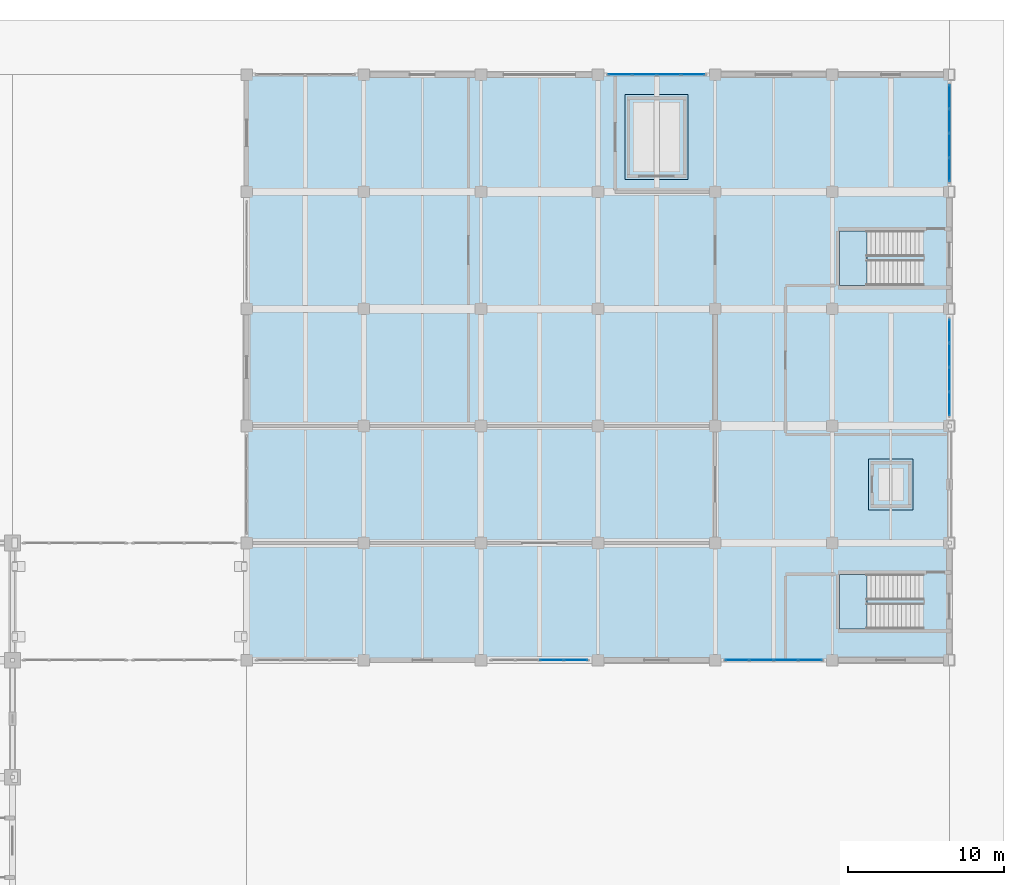
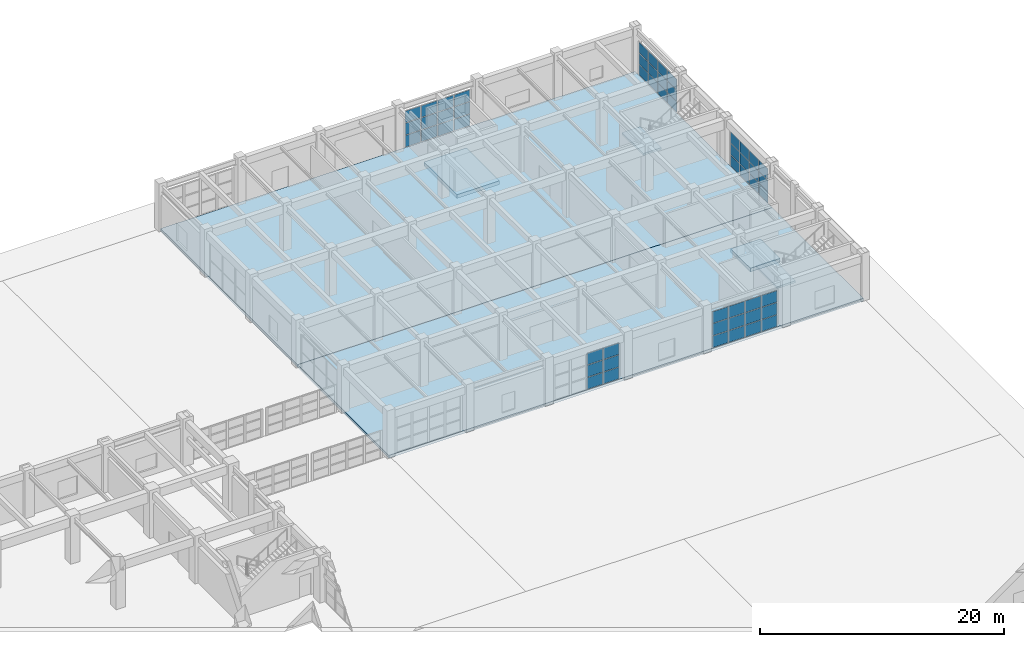
# One storey, part 80 of 122: 54 plates, 6 slabs, 7 elements without a shape of their own.
"""IFC4 building model written with IfcOpenShell, lengths in metres."""

from ifc_helpers import new_model, si_unit, direction, frame, origin, origin_2d, place, context, subcontext, project, spatial, polyline, rectangle, outline, extrude, material, layer, layer_set, type_object, element, aggregate, save


model = new_model("IFC4")

# Units and contexts
model_context = context("Model", 3, precision=1e-05, world=origin(), true_north=direction((0.0, 1.0)))
body_context = subcontext(model_context, "Body", "Model", "MODEL_VIEW")
ifc_project = project(units=[si_unit("LENGTHUNIT", "METRE"), si_unit("AREAUNIT", "SQUARE_METRE"), si_unit("VOLUMEUNIT", "CUBIC_METRE"), si_unit("PLANEANGLEUNIT", "RADIAN"), si_unit("MASSUNIT", "GRAM", prefix="KILO")], contexts=[model_context])

# Site, building, storey
site_placement = place(None, origin())
site = spatial("IfcSite", under=ifc_project, at=site_placement, CompositionType="ELEMENT")
building_placement = place(site_placement, origin())
building = spatial("IfcBuilding", under=site, at=building_placement, Name="Qasida Concert Hall", CompositionType="ELEMENT")
storey_placement = place(building_placement, origin())
storey = spatial("IfcBuildingStorey", under=building, at=storey_placement, Name="L00", CompositionType="ELEMENT", Elevation=0.0)

# Curtain wall, plates
ifc_material_1 = material(Name="Architectural bronze-anodized aluminium and low-E glass", Category="aluminium")
curtain_wall_type_1 = type_object("IfcCurtainWallType", Name="CW-03", PredefinedType="NOTDEFINED", material=ifc_material_1)
curtain_wall_1_placement = place(storey_placement, origin())
curtain_wall_1 = element("IfcCurtainWall", 1, at=curtain_wall_1_placement, inside=storey, type_object=curtain_wall_type_1, Name="L00 curtain wall CW-03 0153", PredefinedType="NOTDEFINED")
ifc_material_2 = material(Name="Solar-control low-E double glazing", Category="glass")
ifc_layer_1 = layer(ifc_material_2, 0.031982421875, Name="Solar-control low-E double glazing")
ifc_layer_set_1 = layer_set([ifc_layer_1], Name="Solar-control low-E double glazing")
plate_type = type_object("IfcPlateType", Name="PLT-CWP-2", PredefinedType="CURTAIN_PANEL", material=ifc_layer_set_1)
plate_1_placement = place(storey_placement, frame((139.532470703125, 75.0, 0.06005859375), z_axis=(0.0, 0.0, 1.0), x_axis=(1.0, 0.0, 0.0)))
plate_1 = element("IfcPlate", 2, at=plate_1_placement, type_object=plate_type, Name="CW-03 panel 3.1", PredefinedType="CURTAIN_PANEL", context=body_context, shape_type="SweptSolid", body=[
    extrude(rectangle(XDim=1.5, YDim=0.031982421875, at=origin_2d()), origin(), (0.0, 0.0, 1.0), 1.14990234375),
])
plate_2_placement = place(storey_placement, frame((139.532470703125, 75.0, 1.27001953125), z_axis=(0.0, 0.0, 1.0), x_axis=(1.0, 0.0, 0.0)))
plate_2 = element("IfcPlate", 3, at=plate_2_placement, type_object=plate_type, Name="CW-03 panel 3.2", PredefinedType="CURTAIN_PANEL", context=body_context, shape_type="SweptSolid", body=[
    extrude(rectangle(XDim=1.5, YDim=0.031982421875, at=origin_2d()), origin(), (0.0, 0.0, 1.0), 1.179931640625),
])
plate_3_placement = place(storey_placement, frame((139.532470703125, 75.0, 2.510009765625), z_axis=(0.0, 0.0, 1.0), x_axis=(1.0, 0.0, 0.0)))
plate_3 = element("IfcPlate", 4, at=plate_3_placement, type_object=plate_type, Name="CW-03 panel 3.3", PredefinedType="CURTAIN_PANEL", context=body_context, shape_type="SweptSolid", body=[
    extrude(rectangle(XDim=1.5, YDim=0.031982421875, at=origin_2d()), origin(), (0.0, 0.0, 1.0), 1.14990234375),
])
plate_4_placement = place(storey_placement, frame((141.081298828125, 75.0, 0.06005859375), z_axis=(0.0, 0.0, 1.0), x_axis=(1.0, 0.0, 0.0)))
plate_4 = element("IfcPlate", 5, at=plate_4_placement, type_object=plate_type, Name="CW-03 panel 4.1", PredefinedType="CURTAIN_PANEL", context=body_context, shape_type="SweptSolid", body=[
    extrude(rectangle(XDim=1.467529296875, YDim=0.031982421875, at=origin_2d()), origin(), (0.0, 0.0, 1.0), 1.14990234375),
])
plate_5_placement = place(storey_placement, frame((141.081298828125, 75.0, 1.27001953125), z_axis=(0.0, 0.0, 1.0), x_axis=(1.0, 0.0, 0.0)))
plate_5 = element("IfcPlate", 6, at=plate_5_placement, type_object=plate_type, Name="CW-03 panel 4.2", PredefinedType="CURTAIN_PANEL", context=body_context, shape_type="SweptSolid", body=[
    extrude(rectangle(XDim=1.467529296875, YDim=0.031982421875, at=origin_2d()), origin(), (0.0, 0.0, 1.0), 1.179931640625),
])
plate_6_placement = place(storey_placement, frame((141.081298828125, 75.0, 2.510009765625), z_axis=(0.0, 0.0, 1.0), x_axis=(1.0, 0.0, 0.0)))
plate_6 = element("IfcPlate", 7, at=plate_6_placement, type_object=plate_type, Name="CW-03 panel 4.3", PredefinedType="CURTAIN_PANEL", context=body_context, shape_type="SweptSolid", body=[
    extrude(rectangle(XDim=1.467529296875, YDim=0.031982421875, at=origin_2d()), origin(), (0.0, 0.0, 1.0), 1.14990234375),
])
aggregate(curtain_wall_1, [plate_1, plate_2, plate_3, plate_4, plate_5, plate_6])

curtain_wall_type_2 = type_object("IfcCurtainWallType", Name="CW-04", PredefinedType="NOTDEFINED", material=ifc_material_1)
curtain_wall_2_placement = place(storey_placement, origin())
curtain_wall_2 = element("IfcCurtainWall", 8, at=curtain_wall_2_placement, inside=storey, type_object=curtain_wall_type_2, Name="L00 curtain wall CW-04 0154", PredefinedType="NOTDEFINED")
plate_7_placement = place(storey_placement, frame((143.918701171875, 112.5, 0.06005859375), z_axis=(0.0, 0.0, 1.0), x_axis=(1.0, 0.0, 0.0)))
plate_7 = element("IfcPlate", 9, at=plate_7_placement, type_object=plate_type, Name="CW-04 panel 1.1", PredefinedType="CURTAIN_PANEL", context=body_context, shape_type="SweptSolid", body=[
    extrude(rectangle(XDim=1.467529296875, YDim=0.031982421875, at=origin_2d()), origin(), (0.0, 0.0, 1.0), 1.14990234375),
])
plate_8_placement = place(storey_placement, frame((143.918701171875, 112.5, 1.27001953125), z_axis=(0.0, 0.0, 1.0), x_axis=(1.0, 0.0, 0.0)))
plate_8 = element("IfcPlate", 10, at=plate_8_placement, type_object=plate_type, Name="CW-04 panel 1.2", PredefinedType="CURTAIN_PANEL", context=body_context, shape_type="SweptSolid", body=[
    extrude(rectangle(XDim=1.467529296875, YDim=0.031982421875, at=origin_2d()), origin(), (0.0, 0.0, 1.0), 1.179931640625),
])
plate_9_placement = place(storey_placement, frame((143.918701171875, 112.5, 2.510009765625), z_axis=(0.0, 0.0, 1.0), x_axis=(1.0, 0.0, 0.0)))
plate_9 = element("IfcPlate", 11, at=plate_9_placement, type_object=plate_type, Name="CW-04 panel 1.3", PredefinedType="CURTAIN_PANEL", context=body_context, shape_type="SweptSolid", body=[
    extrude(rectangle(XDim=1.467529296875, YDim=0.031982421875, at=origin_2d()), origin(), (0.0, 0.0, 1.0), 1.14990234375),
])
plate_10_placement = place(storey_placement, frame((145.467529296875, 112.5, 0.06005859375), z_axis=(0.0, 0.0, 1.0), x_axis=(1.0, 0.0, 0.0)))
plate_10 = element("IfcPlate", 12, at=plate_10_placement, type_object=plate_type, Name="CW-04 panel 2.1", PredefinedType="CURTAIN_PANEL", context=body_context, shape_type="SweptSolid", body=[
    extrude(rectangle(XDim=1.5, YDim=0.031982421875, at=origin_2d()), origin(), (0.0, 0.0, 1.0), 1.14990234375),
])
plate_11_placement = place(storey_placement, frame((145.467529296875, 112.5, 1.27001953125), z_axis=(0.0, 0.0, 1.0), x_axis=(1.0, 0.0, 0.0)))
plate_11 = element("IfcPlate", 13, at=plate_11_placement, type_object=plate_type, Name="CW-04 panel 2.2", PredefinedType="CURTAIN_PANEL", context=body_context, shape_type="SweptSolid", body=[
    extrude(rectangle(XDim=1.5, YDim=0.031982421875, at=origin_2d()), origin(), (0.0, 0.0, 1.0), 1.179931640625),
])
plate_12_placement = place(storey_placement, frame((145.467529296875, 112.5, 2.510009765625), z_axis=(0.0, 0.0, 1.0), x_axis=(1.0, 0.0, 0.0)))
plate_12 = element("IfcPlate", 14, at=plate_12_placement, type_object=plate_type, Name="CW-04 panel 2.3", PredefinedType="CURTAIN_PANEL", context=body_context, shape_type="SweptSolid", body=[
    extrude(rectangle(XDim=1.5, YDim=0.031982421875, at=origin_2d()), origin(), (0.0, 0.0, 1.0), 1.14990234375),
])
plate_13_placement = place(storey_placement, frame((147.032470703125, 112.5, 0.06005859375), z_axis=(0.0, 0.0, 1.0), x_axis=(1.0, 0.0, 0.0)))
plate_13 = element("IfcPlate", 15, at=plate_13_placement, type_object=plate_type, Name="CW-04 panel 3.1", PredefinedType="CURTAIN_PANEL", context=body_context, shape_type="SweptSolid", body=[
    extrude(rectangle(XDim=1.5, YDim=0.031982421875, at=origin_2d()), origin(), (0.0, 0.0, 1.0), 1.14990234375),
])
plate_14_placement = place(storey_placement, frame((147.032470703125, 112.5, 1.27001953125), z_axis=(0.0, 0.0, 1.0), x_axis=(1.0, 0.0, 0.0)))
plate_14 = element("IfcPlate", 16, at=plate_14_placement, type_object=plate_type, Name="CW-04 panel 3.2", PredefinedType="CURTAIN_PANEL", context=body_context, shape_type="SweptSolid", body=[
    extrude(rectangle(XDim=1.5, YDim=0.031982421875, at=origin_2d()), origin(), (0.0, 0.0, 1.0), 1.179931640625),
])
plate_15_placement = place(storey_placement, frame((147.032470703125, 112.5, 2.510009765625), z_axis=(0.0, 0.0, 1.0), x_axis=(1.0, 0.0, 0.0)))
plate_15 = element("IfcPlate", 17, at=plate_15_placement, type_object=plate_type, Name="CW-04 panel 3.3", PredefinedType="CURTAIN_PANEL", context=body_context, shape_type="SweptSolid", body=[
    extrude(rectangle(XDim=1.5, YDim=0.031982421875, at=origin_2d()), origin(), (0.0, 0.0, 1.0), 1.14990234375),
])
plate_16_placement = place(storey_placement, frame((148.581298828125, 112.5, 0.06005859375), z_axis=(0.0, 0.0, 1.0), x_axis=(1.0, 0.0, 0.0)))
plate_16 = element("IfcPlate", 18, at=plate_16_placement, type_object=plate_type, Name="CW-04 panel 4.1", PredefinedType="CURTAIN_PANEL", context=body_context, shape_type="SweptSolid", body=[
    extrude(rectangle(XDim=1.467529296875, YDim=0.031982421875, at=origin_2d()), origin(), (0.0, 0.0, 1.0), 1.14990234375),
])
plate_17_placement = place(storey_placement, frame((148.581298828125, 112.5, 1.27001953125), z_axis=(0.0, 0.0, 1.0), x_axis=(1.0, 0.0, 0.0)))
plate_17 = element("IfcPlate", 19, at=plate_17_placement, type_object=plate_type, Name="CW-04 panel 4.2", PredefinedType="CURTAIN_PANEL", context=body_context, shape_type="SweptSolid", body=[
    extrude(rectangle(XDim=1.467529296875, YDim=0.031982421875, at=origin_2d()), origin(), (0.0, 0.0, 1.0), 1.179931640625),
])
plate_18_placement = place(storey_placement, frame((148.581298828125, 112.5, 2.510009765625), z_axis=(0.0, 0.0, 1.0), x_axis=(1.0, 0.0, 0.0)))
plate_18 = element("IfcPlate", 20, at=plate_18_placement, type_object=plate_type, Name="CW-04 panel 4.3", PredefinedType="CURTAIN_PANEL", context=body_context, shape_type="SweptSolid", body=[
    extrude(rectangle(XDim=1.467529296875, YDim=0.031982421875, at=origin_2d()), origin(), (0.0, 0.0, 1.0), 1.14990234375),
])
aggregate(curtain_wall_2, [plate_7, plate_8, plate_9, plate_10, plate_11, plate_12, plate_13, plate_14, plate_15, plate_16, plate_17, plate_18])

curtain_wall_3_placement = place(storey_placement, origin())
curtain_wall_3 = element("IfcCurtainWall", 21, at=curtain_wall_3_placement, inside=storey, type_object=curtain_wall_type_1, Name="L00 curtain wall CW-03 0155", PredefinedType="NOTDEFINED")
plate_19_placement = place(storey_placement, frame((151.418701171875, 75.0, 0.06005859375), z_axis=(0.0, 0.0, 1.0), x_axis=(1.0, 0.0, 0.0)))
plate_19 = element("IfcPlate", 22, at=plate_19_placement, type_object=plate_type, Name="CW-03 panel 1.1", PredefinedType="CURTAIN_PANEL", context=body_context, shape_type="SweptSolid", body=[
    extrude(rectangle(XDim=1.467529296875, YDim=0.031982421875, at=origin_2d()), origin(), (0.0, 0.0, 1.0), 1.14990234375),
])
plate_20_placement = place(storey_placement, frame((151.418701171875, 75.0, 1.27001953125), z_axis=(0.0, 0.0, 1.0), x_axis=(1.0, 0.0, 0.0)))
plate_20 = element("IfcPlate", 23, at=plate_20_placement, type_object=plate_type, Name="CW-03 panel 1.2", PredefinedType="CURTAIN_PANEL", context=body_context, shape_type="SweptSolid", body=[
    extrude(rectangle(XDim=1.467529296875, YDim=0.031982421875, at=origin_2d()), origin(), (0.0, 0.0, 1.0), 1.179931640625),
])
plate_21_placement = place(storey_placement, frame((151.418701171875, 75.0, 2.510009765625), z_axis=(0.0, 0.0, 1.0), x_axis=(1.0, 0.0, 0.0)))
plate_21 = element("IfcPlate", 24, at=plate_21_placement, type_object=plate_type, Name="CW-03 panel 1.3", PredefinedType="CURTAIN_PANEL", context=body_context, shape_type="SweptSolid", body=[
    extrude(rectangle(XDim=1.467529296875, YDim=0.031982421875, at=origin_2d()), origin(), (0.0, 0.0, 1.0), 1.14990234375),
])
plate_22_placement = place(storey_placement, frame((152.967529296875, 75.0, 0.06005859375), z_axis=(0.0, 0.0, 1.0), x_axis=(1.0, 0.0, 0.0)))
plate_22 = element("IfcPlate", 25, at=plate_22_placement, type_object=plate_type, Name="CW-03 panel 2.1", PredefinedType="CURTAIN_PANEL", context=body_context, shape_type="SweptSolid", body=[
    extrude(rectangle(XDim=1.5, YDim=0.031982421875, at=origin_2d()), origin(), (0.0, 0.0, 1.0), 1.14990234375),
])
plate_23_placement = place(storey_placement, frame((152.967529296875, 75.0, 1.27001953125), z_axis=(0.0, 0.0, 1.0), x_axis=(1.0, 0.0, 0.0)))
plate_23 = element("IfcPlate", 26, at=plate_23_placement, type_object=plate_type, Name="CW-03 panel 2.2", PredefinedType="CURTAIN_PANEL", context=body_context, shape_type="SweptSolid", body=[
    extrude(rectangle(XDim=1.5, YDim=0.031982421875, at=origin_2d()), origin(), (0.0, 0.0, 1.0), 1.179931640625),
])
plate_24_placement = place(storey_placement, frame((152.967529296875, 75.0, 2.510009765625), z_axis=(0.0, 0.0, 1.0), x_axis=(1.0, 0.0, 0.0)))
plate_24 = element("IfcPlate", 27, at=plate_24_placement, type_object=plate_type, Name="CW-03 panel 2.3", PredefinedType="CURTAIN_PANEL", context=body_context, shape_type="SweptSolid", body=[
    extrude(rectangle(XDim=1.5, YDim=0.031982421875, at=origin_2d()), origin(), (0.0, 0.0, 1.0), 1.14990234375),
])
plate_25_placement = place(storey_placement, frame((154.532470703125, 75.0, 0.06005859375), z_axis=(0.0, 0.0, 1.0), x_axis=(1.0, 0.0, 0.0)))
plate_25 = element("IfcPlate", 28, at=plate_25_placement, type_object=plate_type, Name="CW-03 panel 3.1", PredefinedType="CURTAIN_PANEL", context=body_context, shape_type="SweptSolid", body=[
    extrude(rectangle(XDim=1.5, YDim=0.031982421875, at=origin_2d()), origin(), (0.0, 0.0, 1.0), 1.14990234375),
])
plate_26_placement = place(storey_placement, frame((154.532470703125, 75.0, 1.27001953125), z_axis=(0.0, 0.0, 1.0), x_axis=(1.0, 0.0, 0.0)))
plate_26 = element("IfcPlate", 29, at=plate_26_placement, type_object=plate_type, Name="CW-03 panel 3.2", PredefinedType="CURTAIN_PANEL", context=body_context, shape_type="SweptSolid", body=[
    extrude(rectangle(XDim=1.5, YDim=0.031982421875, at=origin_2d()), origin(), (0.0, 0.0, 1.0), 1.179931640625),
])
plate_27_placement = place(storey_placement, frame((154.532470703125, 75.0, 2.510009765625), z_axis=(0.0, 0.0, 1.0), x_axis=(1.0, 0.0, 0.0)))
plate_27 = element("IfcPlate", 30, at=plate_27_placement, type_object=plate_type, Name="CW-03 panel 3.3", PredefinedType="CURTAIN_PANEL", context=body_context, shape_type="SweptSolid", body=[
    extrude(rectangle(XDim=1.5, YDim=0.031982421875, at=origin_2d()), origin(), (0.0, 0.0, 1.0), 1.14990234375),
])
plate_28_placement = place(storey_placement, frame((156.081298828125, 75.0, 0.06005859375), z_axis=(0.0, 0.0, 1.0), x_axis=(1.0, 0.0, 0.0)))
plate_28 = element("IfcPlate", 31, at=plate_28_placement, type_object=plate_type, Name="CW-03 panel 4.1", PredefinedType="CURTAIN_PANEL", context=body_context, shape_type="SweptSolid", body=[
    extrude(rectangle(XDim=1.467529296875, YDim=0.031982421875, at=origin_2d()), origin(), (0.0, 0.0, 1.0), 1.14990234375),
])
plate_29_placement = place(storey_placement, frame((156.081298828125, 75.0, 1.27001953125), z_axis=(0.0, 0.0, 1.0), x_axis=(1.0, 0.0, 0.0)))
plate_29 = element("IfcPlate", 32, at=plate_29_placement, type_object=plate_type, Name="CW-03 panel 4.2", PredefinedType="CURTAIN_PANEL", context=body_context, shape_type="SweptSolid", body=[
    extrude(rectangle(XDim=1.467529296875, YDim=0.031982421875, at=origin_2d()), origin(), (0.0, 0.0, 1.0), 1.179931640625),
])
plate_30_placement = place(storey_placement, frame((156.081298828125, 75.0, 2.510009765625), z_axis=(0.0, 0.0, 1.0), x_axis=(1.0, 0.0, 0.0)))
plate_30 = element("IfcPlate", 33, at=plate_30_placement, type_object=plate_type, Name="CW-03 panel 4.3", PredefinedType="CURTAIN_PANEL", context=body_context, shape_type="SweptSolid", body=[
    extrude(rectangle(XDim=1.467529296875, YDim=0.031982421875, at=origin_2d()), origin(), (0.0, 0.0, 1.0), 1.14990234375),
])
aggregate(curtain_wall_3, [plate_19, plate_20, plate_21, plate_22, plate_23, plate_24, plate_25, plate_26, plate_27, plate_28, plate_29, plate_30])

curtain_wall_type_3 = type_object("IfcCurtainWallType", Name="CW-11", PredefinedType="NOTDEFINED", material=ifc_material_1)
curtain_wall_4_placement = place(storey_placement, origin())
curtain_wall_4 = element("IfcCurtainWall", 34, at=curtain_wall_4_placement, inside=storey, type_object=curtain_wall_type_3, Name="L00 curtain wall CW-11 0157", PredefinedType="NOTDEFINED")
plate_31_placement = place(storey_placement, frame((165.0, 91.418701171875, 0.06005859375), z_axis=(0.0, 0.0, 1.0), x_axis=(0.0, 1.0, 0.0)))
plate_31 = element("IfcPlate", 35, at=plate_31_placement, type_object=plate_type, Name="CW-11 panel 1.1", PredefinedType="CURTAIN_PANEL", context=body_context, shape_type="SweptSolid", body=[
    extrude(rectangle(XDim=1.467529296875, YDim=0.031982421875, at=origin_2d()), origin(), (0.0, 0.0, 1.0), 1.083251953125),
])
plate_32_placement = place(storey_placement, frame((165.0, 91.418701171875, 1.203369140625), z_axis=(0.0, 0.0, 1.0), x_axis=(0.0, 1.0, 0.0)))
plate_32 = element("IfcPlate", 36, at=plate_32_placement, type_object=plate_type, Name="CW-11 panel 1.2", PredefinedType="CURTAIN_PANEL", context=body_context, shape_type="SweptSolid", body=[
    extrude(rectangle(XDim=1.467529296875, YDim=0.031982421875, at=origin_2d()), origin(), (0.0, 0.0, 1.0), 1.11328125),
])
plate_33_placement = place(storey_placement, frame((165.0, 91.418701171875, 2.376953125), z_axis=(0.0, 0.0, 1.0), x_axis=(0.0, 1.0, 0.0)))
plate_33 = element("IfcPlate", 37, at=plate_33_placement, type_object=plate_type, Name="CW-11 panel 1.3", PredefinedType="CURTAIN_PANEL", context=body_context, shape_type="SweptSolid", body=[
    extrude(rectangle(XDim=1.467529296875, YDim=0.031982421875, at=origin_2d()), origin(), (0.0, 0.0, 1.0), 1.083251953125),
])
plate_34_placement = place(storey_placement, frame((165.0, 92.967529296875, 0.06005859375), z_axis=(0.0, 0.0, 1.0), x_axis=(0.0, 1.0, 0.0)))
plate_34 = element("IfcPlate", 38, at=plate_34_placement, type_object=plate_type, Name="CW-11 panel 2.1", PredefinedType="CURTAIN_PANEL", context=body_context, shape_type="SweptSolid", body=[
    extrude(rectangle(XDim=1.5, YDim=0.031982421875, at=origin_2d()), origin(), (0.0, 0.0, 1.0), 1.083251953125),
])
plate_35_placement = place(storey_placement, frame((165.0, 92.967529296875, 1.203369140625), z_axis=(0.0, 0.0, 1.0), x_axis=(0.0, 1.0, 0.0)))
plate_35 = element("IfcPlate", 39, at=plate_35_placement, type_object=plate_type, Name="CW-11 panel 2.2", PredefinedType="CURTAIN_PANEL", context=body_context, shape_type="SweptSolid", body=[
    extrude(rectangle(XDim=1.5, YDim=0.031982421875, at=origin_2d()), origin(), (0.0, 0.0, 1.0), 1.11328125),
])
plate_36_placement = place(storey_placement, frame((165.0, 92.967529296875, 2.376953125), z_axis=(0.0, 0.0, 1.0), x_axis=(0.0, 1.0, 0.0)))
plate_36 = element("IfcPlate", 40, at=plate_36_placement, type_object=plate_type, Name="CW-11 panel 2.3", PredefinedType="CURTAIN_PANEL", context=body_context, shape_type="SweptSolid", body=[
    extrude(rectangle(XDim=1.5, YDim=0.031982421875, at=origin_2d()), origin(), (0.0, 0.0, 1.0), 1.083251953125),
])
plate_37_placement = place(storey_placement, frame((165.0, 94.532470703125, 0.06005859375), z_axis=(0.0, 0.0, 1.0), x_axis=(0.0, 1.0, 0.0)))
plate_37 = element("IfcPlate", 41, at=plate_37_placement, type_object=plate_type, Name="CW-11 panel 3.1", PredefinedType="CURTAIN_PANEL", context=body_context, shape_type="SweptSolid", body=[
    extrude(rectangle(XDim=1.5, YDim=0.031982421875, at=origin_2d()), origin(), (0.0, 0.0, 1.0), 1.083251953125),
])
plate_38_placement = place(storey_placement, frame((165.0, 94.532470703125, 1.203369140625), z_axis=(0.0, 0.0, 1.0), x_axis=(0.0, 1.0, 0.0)))
plate_38 = element("IfcPlate", 42, at=plate_38_placement, type_object=plate_type, Name="CW-11 panel 3.2", PredefinedType="CURTAIN_PANEL", context=body_context, shape_type="SweptSolid", body=[
    extrude(rectangle(XDim=1.5, YDim=0.031982421875, at=origin_2d()), origin(), (0.0, 0.0, 1.0), 1.11328125),
])
plate_39_placement = place(storey_placement, frame((165.0, 94.532470703125, 2.376953125), z_axis=(0.0, 0.0, 1.0), x_axis=(0.0, 1.0, 0.0)))
plate_39 = element("IfcPlate", 43, at=plate_39_placement, type_object=plate_type, Name="CW-11 panel 3.3", PredefinedType="CURTAIN_PANEL", context=body_context, shape_type="SweptSolid", body=[
    extrude(rectangle(XDim=1.5, YDim=0.031982421875, at=origin_2d()), origin(), (0.0, 0.0, 1.0), 1.083251953125),
])
plate_40_placement = place(storey_placement, frame((165.0, 96.081298828125, 0.06005859375), z_axis=(0.0, 0.0, 1.0), x_axis=(0.0, 1.0, 0.0)))
plate_40 = element("IfcPlate", 44, at=plate_40_placement, type_object=plate_type, Name="CW-11 panel 4.1", PredefinedType="CURTAIN_PANEL", context=body_context, shape_type="SweptSolid", body=[
    extrude(rectangle(XDim=1.467529296875, YDim=0.031982421875, at=origin_2d()), origin(), (0.0, 0.0, 1.0), 1.083251953125),
])
plate_41_placement = place(storey_placement, frame((165.0, 96.081298828125, 1.203369140625), z_axis=(0.0, 0.0, 1.0), x_axis=(0.0, 1.0, 0.0)))
plate_41 = element("IfcPlate", 45, at=plate_41_placement, type_object=plate_type, Name="CW-11 panel 4.2", PredefinedType="CURTAIN_PANEL", context=body_context, shape_type="SweptSolid", body=[
    extrude(rectangle(XDim=1.467529296875, YDim=0.031982421875, at=origin_2d()), origin(), (0.0, 0.0, 1.0), 1.11328125),
])
plate_42_placement = place(storey_placement, frame((165.0, 96.081298828125, 2.376953125), z_axis=(0.0, 0.0, 1.0), x_axis=(0.0, 1.0, 0.0)))
plate_42 = element("IfcPlate", 46, at=plate_42_placement, type_object=plate_type, Name="CW-11 panel 4.3", PredefinedType="CURTAIN_PANEL", context=body_context, shape_type="SweptSolid", body=[
    extrude(rectangle(XDim=1.467529296875, YDim=0.031982421875, at=origin_2d()), origin(), (0.0, 0.0, 1.0), 1.083251953125),
])
aggregate(curtain_wall_4, [plate_31, plate_32, plate_33, plate_34, plate_35, plate_36, plate_37, plate_38, plate_39, plate_40, plate_41, plate_42])

curtain_wall_5_placement = place(storey_placement, origin())
curtain_wall_5 = element("IfcCurtainWall", 47, at=curtain_wall_5_placement, inside=storey, type_object=curtain_wall_type_3, Name="L00 curtain wall CW-11 0159", PredefinedType="NOTDEFINED")
plate_43_placement = place(storey_placement, frame((165.0, 106.418701171875, 0.06005859375), z_axis=(0.0, 0.0, 1.0), x_axis=(0.0, 1.0, 0.0)))
plate_43 = element("IfcPlate", 48, at=plate_43_placement, type_object=plate_type, Name="CW-11 panel 1.1", PredefinedType="CURTAIN_PANEL", context=body_context, shape_type="SweptSolid", body=[
    extrude(rectangle(XDim=1.467529296875, YDim=0.031982421875, at=origin_2d()), origin(), (0.0, 0.0, 1.0), 1.050048828125),
])
plate_44_placement = place(storey_placement, frame((165.0, 106.418701171875, 1.169921875), z_axis=(0.0, 0.0, 1.0), x_axis=(0.0, 1.0, 0.0)))
plate_44 = element("IfcPlate", 49, at=plate_44_placement, type_object=plate_type, Name="CW-11 panel 1.2", PredefinedType="CURTAIN_PANEL", context=body_context, shape_type="SweptSolid", body=[
    extrude(rectangle(XDim=1.467529296875, YDim=0.031982421875, at=origin_2d()), origin(), (0.0, 0.0, 1.0), 1.080078125),
])
plate_45_placement = place(storey_placement, frame((165.0, 106.418701171875, 2.31005859375), z_axis=(0.0, 0.0, 1.0), x_axis=(0.0, 1.0, 0.0)))
plate_45 = element("IfcPlate", 50, at=plate_45_placement, type_object=plate_type, Name="CW-11 panel 1.3", PredefinedType="CURTAIN_PANEL", context=body_context, shape_type="SweptSolid", body=[
    extrude(rectangle(XDim=1.467529296875, YDim=0.031982421875, at=origin_2d()), origin(), (0.0, 0.0, 1.0), 1.050048828125),
])
plate_46_placement = place(storey_placement, frame((165.0, 107.967529296875, 0.06005859375), z_axis=(0.0, 0.0, 1.0), x_axis=(0.0, 1.0, 0.0)))
plate_46 = element("IfcPlate", 51, at=plate_46_placement, type_object=plate_type, Name="CW-11 panel 2.1", PredefinedType="CURTAIN_PANEL", context=body_context, shape_type="SweptSolid", body=[
    extrude(rectangle(XDim=1.5, YDim=0.031982421875, at=origin_2d()), origin(), (0.0, 0.0, 1.0), 1.050048828125),
])
plate_47_placement = place(storey_placement, frame((165.0, 107.967529296875, 1.169921875), z_axis=(0.0, 0.0, 1.0), x_axis=(0.0, 1.0, 0.0)))
plate_47 = element("IfcPlate", 52, at=plate_47_placement, type_object=plate_type, Name="CW-11 panel 2.2", PredefinedType="CURTAIN_PANEL", context=body_context, shape_type="SweptSolid", body=[
    extrude(rectangle(XDim=1.5, YDim=0.031982421875, at=origin_2d()), origin(), (0.0, 0.0, 1.0), 1.080078125),
])
plate_48_placement = place(storey_placement, frame((165.0, 107.967529296875, 2.31005859375), z_axis=(0.0, 0.0, 1.0), x_axis=(0.0, 1.0, 0.0)))
plate_48 = element("IfcPlate", 53, at=plate_48_placement, type_object=plate_type, Name="CW-11 panel 2.3", PredefinedType="CURTAIN_PANEL", context=body_context, shape_type="SweptSolid", body=[
    extrude(rectangle(XDim=1.5, YDim=0.031982421875, at=origin_2d()), origin(), (0.0, 0.0, 1.0), 1.050048828125),
])
plate_49_placement = place(storey_placement, frame((165.0, 109.532470703125, 0.06005859375), z_axis=(0.0, 0.0, 1.0), x_axis=(0.0, 1.0, 0.0)))
plate_49 = element("IfcPlate", 54, at=plate_49_placement, type_object=plate_type, Name="CW-11 panel 3.1", PredefinedType="CURTAIN_PANEL", context=body_context, shape_type="SweptSolid", body=[
    extrude(rectangle(XDim=1.5, YDim=0.031982421875, at=origin_2d()), origin(), (0.0, 0.0, 1.0), 1.050048828125),
])
plate_50_placement = place(storey_placement, frame((165.0, 109.532470703125, 1.169921875), z_axis=(0.0, 0.0, 1.0), x_axis=(0.0, 1.0, 0.0)))
plate_50 = element("IfcPlate", 55, at=plate_50_placement, type_object=plate_type, Name="CW-11 panel 3.2", PredefinedType="CURTAIN_PANEL", context=body_context, shape_type="SweptSolid", body=[
    extrude(rectangle(XDim=1.5, YDim=0.031982421875, at=origin_2d()), origin(), (0.0, 0.0, 1.0), 1.080078125),
])
plate_51_placement = place(storey_placement, frame((165.0, 109.532470703125, 2.31005859375), z_axis=(0.0, 0.0, 1.0), x_axis=(0.0, 1.0, 0.0)))
plate_51 = element("IfcPlate", 56, at=plate_51_placement, type_object=plate_type, Name="CW-11 panel 3.3", PredefinedType="CURTAIN_PANEL", context=body_context, shape_type="SweptSolid", body=[
    extrude(rectangle(XDim=1.5, YDim=0.031982421875, at=origin_2d()), origin(), (0.0, 0.0, 1.0), 1.050048828125),
])
plate_52_placement = place(storey_placement, frame((165.0, 111.081298828125, 0.06005859375), z_axis=(0.0, 0.0, 1.0), x_axis=(0.0, 1.0, 0.0)))
plate_52 = element("IfcPlate", 57, at=plate_52_placement, type_object=plate_type, Name="CW-11 panel 4.1", PredefinedType="CURTAIN_PANEL", context=body_context, shape_type="SweptSolid", body=[
    extrude(rectangle(XDim=1.467529296875, YDim=0.031982421875, at=origin_2d()), origin(), (0.0, 0.0, 1.0), 1.050048828125),
])
plate_53_placement = place(storey_placement, frame((165.0, 111.081298828125, 1.169921875), z_axis=(0.0, 0.0, 1.0), x_axis=(0.0, 1.0, 0.0)))
plate_53 = element("IfcPlate", 58, at=plate_53_placement, type_object=plate_type, Name="CW-11 panel 4.2", PredefinedType="CURTAIN_PANEL", context=body_context, shape_type="SweptSolid", body=[
    extrude(rectangle(XDim=1.467529296875, YDim=0.031982421875, at=origin_2d()), origin(), (0.0, 0.0, 1.0), 1.080078125),
])
plate_54_placement = place(storey_placement, frame((165.0, 111.081298828125, 2.31005859375), z_axis=(0.0, 0.0, 1.0), x_axis=(0.0, 1.0, 0.0)))
plate_54 = element("IfcPlate", 59, at=plate_54_placement, type_object=plate_type, Name="CW-11 panel 4.3", PredefinedType="CURTAIN_PANEL", context=body_context, shape_type="SweptSolid", body=[
    extrude(rectangle(XDim=1.467529296875, YDim=0.031982421875, at=origin_2d()), origin(), (0.0, 0.0, 1.0), 1.050048828125),
])
aggregate(curtain_wall_5, [plate_43, plate_44, plate_45, plate_46, plate_47, plate_48, plate_49, plate_50, plate_51, plate_52, plate_53, plate_54])

# Slabs
ifc_material_3 = material(Name="Concrete C40/50", Category="concrete")
ifc_layer_2 = layer(ifc_material_3, 0.3798828125, Name="Concrete C40/50")
ifc_layer_set_2 = layer_set([ifc_layer_2], Name="Concrete C40/50")
slab_type_1 = type_object("IfcSlabType", Name="SL-BS-380", PredefinedType="BASESLAB", material=ifc_layer_set_2)
slab_1_placement = place(storey_placement, frame((0.0, 0.0, -1.39990234375)))
element("IfcSlab", 60, at=slab_1_placement, inside=storey, type_object=slab_type_1, Name="Lift pit slab LF-09", PredefinedType="BASESLAB", context=body_context, shape_type="SweptSolid", body=[
    extrude(outline(polyline([(159.830078125, 84.6298828125), (162.669921875, 84.6298828125), (162.669921875, 87.8701171875), (159.830078125, 87.8701171875), (159.830078125, 84.6298828125)])), origin(), (0.0, 0.0, 1.0), 0.3798828125),
])
slab_2_placement = place(storey_placement, frame((0.0, 0.0, -1.39990234375)))
element("IfcSlab", 61, at=slab_2_placement, inside=storey, type_object=slab_type_1, Name="Lift pit slab LF-10", PredefinedType="BASESLAB", context=body_context, shape_type="SweptSolid", body=[
    extrude(outline(polyline([(144.22998046875, 105.780029296875), (148.27001953125, 105.780029296875), (148.27001953125, 111.219970703125), (144.22998046875, 111.219970703125), (144.22998046875, 105.780029296875)])), origin(), (0.0, 0.0, 1.0), 0.3798828125),
])
ifc_layer_3 = layer(ifc_material_3, 0.280029296875, Name="Concrete C40/50")
ifc_layer_set_3 = layer_set([ifc_layer_3], Name="Concrete C40/50")
slab_type_2 = type_object("IfcSlabType", Name="SL-FS-280", PredefinedType="FLOOR", material=ifc_layer_set_3)
slab_3_placement = place(storey_placement, frame((0.0, 0.0, -0.280029296875)))
element("IfcSlab", 62, at=slab_3_placement, inside=storey, type_object=slab_type_2, Name="V4 piano vault south (FS-280)", PredefinedType="FLOOR", context=body_context, shape_type="SweptSolid", body=[
    extrude(outline(polyline([(120.0, 75.0), (165.0, 75.0), (165.0, 90.0), (120.0, 90.0), (120.0, 75.0)])), origin(), (0.0, 0.0, 1.0), 0.280029296875),
])
slab_4_placement = place(storey_placement, frame((0.0, 0.0, -0.280029296875)))
element("IfcSlab", 63, at=slab_4_placement, inside=storey, type_object=slab_type_2, Name="V4 orchestra loading dock north (FS-280)", PredefinedType="FLOOR", context=body_context, shape_type="SweptSolid", body=[
    extrude(outline(polyline([(120.0, 90.0), (165.0, 90.0), (165.0, 112.5), (120.0, 112.5), (120.0, 90.0)])), origin(), (0.0, 0.0, 1.0), 0.280029296875),
])

# Stair, slab
stair_type = type_object("IfcStairType", Name="ST-DL-165", PredefinedType="HALF_TURN_STAIR", material=ifc_material_3)
stair_1_placement = place(storey_placement, origin())
stair_1 = element("IfcStair", 64, at=stair_1_placement, inside=storey, type_object=stair_type, Name="L00 Exit stair ST-07", PredefinedType="HALF_TURN_STAIR")
ifc_layer_4 = layer(ifc_material_3, 0.199951171875, Name="Concrete C40/50")
ifc_layer_set_4 = layer_set([ifc_layer_4], Name="Concrete C40/50")
slab_type_3 = type_object("IfcSlabType", Name="SL-LND-200", PredefinedType="LANDING", material=ifc_layer_set_4)
slab_5_placement = place(storey_placement, frame((0.0, 0.0, 2.199951171875)))
slab_5 = element("IfcSlab", 65, at=slab_5_placement, type_object=slab_type_3, Name="ST-07 landing 1", PredefinedType="LANDING", context=body_context, shape_type="SweptSolid", body=[
    extrude(outline(polyline([(159.7099609375, 80.5), (157.97998046875, 80.5), (157.97998046875, 77.0), (159.7099609375, 77.0), (159.7099609375, 80.5)])), origin(), (0.0, 0.0, 1.0), 0.199951171875),
])
aggregate(stair_1, [slab_5])

stair_2_placement = place(storey_placement, origin())
stair_2 = element("IfcStair", 66, at=stair_2_placement, inside=storey, type_object=stair_type, Name="L00 Exit stair ST-08", PredefinedType="HALF_TURN_STAIR")
slab_6_placement = place(storey_placement, frame((0.0, 0.0, 2.199951171875)))
slab_6 = element("IfcSlab", 67, at=slab_6_placement, type_object=slab_type_3, Name="ST-08 landing 1", PredefinedType="LANDING", context=body_context, shape_type="SweptSolid", body=[
    extrude(outline(polyline([(159.7099609375, 102.5), (157.97998046875, 102.5), (157.97998046875, 99.0), (159.7099609375, 99.0), (159.7099609375, 102.5)])), origin(), (0.0, 0.0, 1.0), 0.199951171875),
])
aggregate(stair_2, [slab_6])

save(model, "model.ifc")
